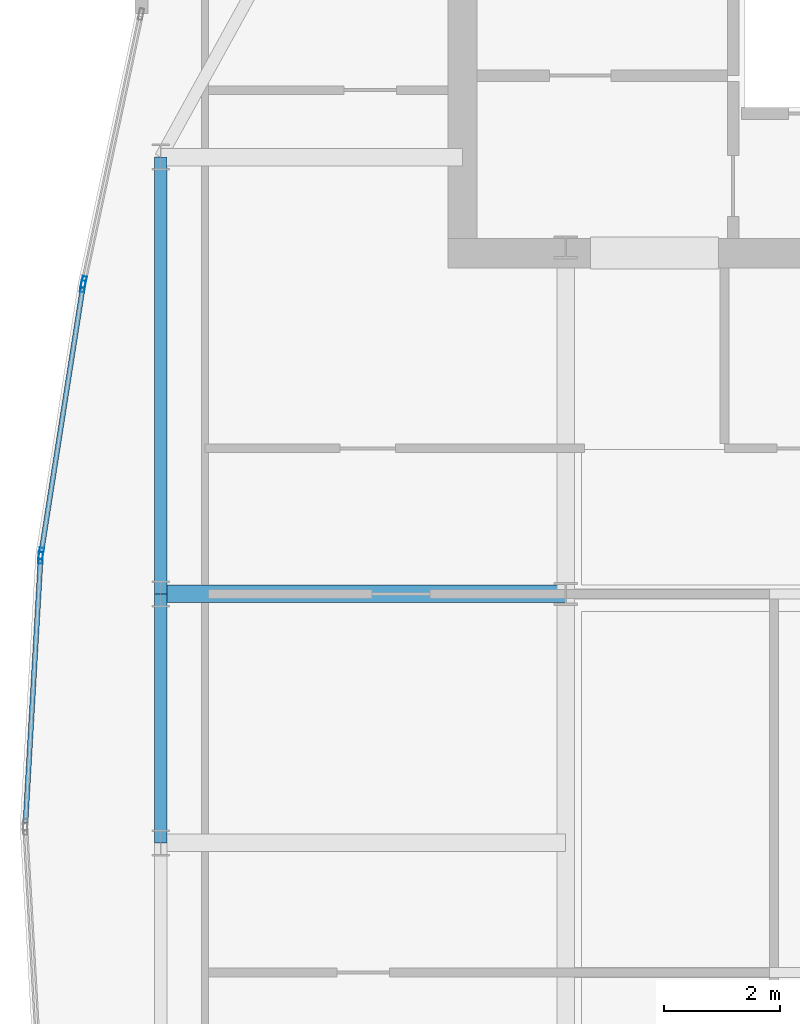
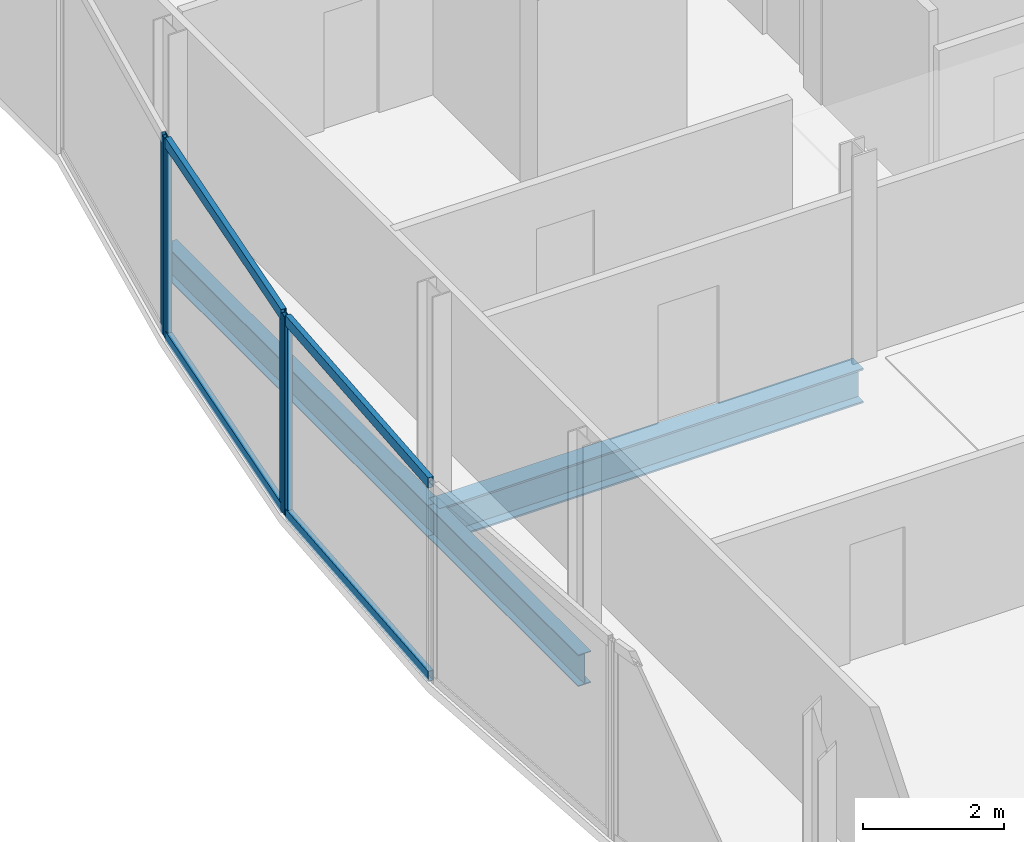
# One storey, part 12 of 29: 8 members, 3 beams, 3 elements without a shape of their own.
"""IFC4 building model written with IfcOpenShell, lengths in metres."""

import ifcopenshell
import ifcopenshell.guid

model = None  # the IFC model being written
_history = None  # IfcOwnerHistory: only IFC2X3 demands one
_inside = {}  # id of a spatial element -> (the spatial element, [elements in it])
_under = {}  # id of a project, library or spatial element -> (it, [spatial elements below it])
_declared = {}  # id of a project -> (the project, [libraries it declares])
_typed = {}  # id of a type object -> (the type object, [elements of that type])
_made_of = {}  # id of a material, layer set ... -> (it, [elements and type objects made of it])


def new_model(schema):
    """Start an empty IFC model of exactly this schema.

    Asked for "IFC4X3", IfcOpenShell would pick the latest addendum, in which some entities
    have other attributes; the version numbers below select the first issue.
    IFC2X3 requires an IfcOwnerHistory on every rooted entity: one is made here for all.
    """
    global model, _history
    if schema == "IFC4X3":
        model = ifcopenshell.file(schema_version=(4, 3, 0, 0))
    else:
        model = ifcopenshell.file(schema=schema)
    _inside.clear()
    _under.clear()
    _declared.clear()
    _typed.clear()
    _made_of.clear()
    _history = None
    if model.schema == "IFC2X3":
        org = make("IfcOrganization", Name="unknown")
        user = make(
            "IfcPersonAndOrganization",
            ThePerson=make("IfcPerson", FamilyName="unknown"),
            TheOrganization=org,
        )
        app = make(
            "IfcApplication",
            ApplicationDeveloper=org,
            Version="unknown",
            ApplicationFullName="unknown",
            ApplicationIdentifier="unknown",
        )
        _history = make(
            "IfcOwnerHistory",
            OwningUser=user,
            OwningApplication=app,
            ChangeAction="ADDED",
            CreationDate=0,
        )
    return model


def make(cls, **values):
    """One entity of the class cls with the attributes given. An attribute that is None is left unset."""
    return model.create_entity(
        cls, **{name: value for name, value in values.items() if value is not None}
    )


def rooted(cls, **values):
    """An entity with a GlobalId (a new one), such as an element, a storey or a relation."""
    return make(cls, GlobalId=ifcopenshell.guid.new(), OwnerHistory=_history, **values)


def si_unit(unit_type, name, prefix=None):
    """IfcSIUnit, for example si_unit("LENGTHUNIT", "METRE", prefix="MILLI")."""
    return make("IfcSIUnit", UnitType=unit_type, Prefix=prefix, Name=name)


def assignment(units):
    """IfcUnitAssignment: the units of a project."""
    return None if units is None else make("IfcUnitAssignment", Units=units)


def point(xyz):
    """IfcCartesianPoint."""
    return None if xyz is None else make("IfcCartesianPoint", Coordinates=xyz)


def direction(xyz):
    """IfcDirection."""
    return None if xyz is None else make("IfcDirection", DirectionRatios=xyz)


def frame(location, z_axis=None, x_axis=None):
    """IfcAxis2Placement3D, a coordinate frame: its origin and axes. An axis left out is left unset."""
    return make(
        "IfcAxis2Placement3D",
        Location=point(location),
        Axis=direction(z_axis),
        RefDirection=direction(x_axis),
    )


def frame_2d(location, x_axis=None):
    """IfcAxis2Placement2D, a coordinate frame in the plane: its origin and x axis."""
    return make(
        "IfcAxis2Placement2D", Location=point(location), RefDirection=direction(x_axis)
    )


def origin():
    """The frame at (0, 0, 0) with its axes left unset."""
    return frame((0.0, 0.0, 0.0))


def origin_2d():
    """The frame at (0, 0) in the plane with its x axis left unset."""
    return frame_2d((0.0, 0.0))


def place(relative_to, where):
    """IfcLocalPlacement: puts the frame where relative to a parent placement (None: the world)."""
    return make(
        "IfcLocalPlacement", PlacementRelTo=relative_to, RelativePlacement=where
    )


def context(
    kind, dimensions, precision=None, world=None, true_north=None, identifier=None
):
    """IfcGeometricRepresentationContext, for example the 3D "Model" context."""
    return make(
        "IfcGeometricRepresentationContext",
        ContextIdentifier=identifier,
        ContextType=kind,
        CoordinateSpaceDimension=dimensions,
        Precision=precision,
        WorldCoordinateSystem=world,
        TrueNorth=true_north,
    )


def subcontext(parent, identifier, kind, view, scale=None):
    """IfcGeometricRepresentationSubContext, for example "Body" below "Model"."""
    return make(
        "IfcGeometricRepresentationSubContext",
        ContextIdentifier=identifier,
        ContextType=kind,
        ParentContext=parent,
        TargetScale=scale,
        TargetView=view,
    )


def project(units=None, contexts=None):
    """IfcProject with its units and contexts."""
    return rooted(
        "IfcProject",
        Name="project",
        RepresentationContexts=contexts,
        UnitsInContext=assignment(units),
    )


def spatial(cls, under=None, at=None, **own):
    """A site, building, storey or space (cls), placed at a placement, below another one or the project."""
    s = rooted(cls, ObjectPlacement=at, **own)
    if under is not None:
        _under.setdefault(under.id(), (under, []))[1].append(s)
    return s


def profile(cls, at=None, kind="AREA", **sizes):
    """A parametric profile (cls). Its sizes go by their IFC names, for example OverallWidth=200.0."""
    return make(cls, ProfileType=kind, Position=at, **sizes)


def hollow_rectangle(**sizes):
    """IfcRectangleHollowProfileDef."""
    return profile("IfcRectangleHollowProfileDef", **sizes)


def i_section(**sizes):
    """IfcIShapeProfileDef."""
    return profile("IfcIShapeProfileDef", **sizes)


def extrude(swept, where, along, depth):
    """IfcExtrudedAreaSolid: the profile swept, set in the frame where, extruded along a direction by depth."""
    return make(
        "IfcExtrudedAreaSolid",
        SweptArea=swept,
        Position=where,
        ExtrudedDirection=direction(along),
        Depth=depth,
    )


def shape(context_of_items, identifier, shape_type, items):
    """IfcShapeRepresentation: the items that make up one representation, for example the "Body"."""
    return make(
        "IfcShapeRepresentation",
        ContextOfItems=context_of_items,
        RepresentationIdentifier=identifier,
        RepresentationType=shape_type,
        Items=items,
    )


def material(Name=None, Category=None):
    """IfcMaterial."""
    return make("IfcMaterial", Name=Name, Category=Category)


def material_profile(
    of_material, cross_section, Name=None, Category=None, Priority=None
):
    """IfcMaterialProfile: a cross section and its material."""
    return make(
        "IfcMaterialProfile",
        Name=Name,
        Material=of_material,
        Profile=cross_section,
        Priority=Priority,
        Category=Category,
    )


def profile_set(profiles, Name=None, composite=None):
    """IfcMaterialProfileSet."""
    return make(
        "IfcMaterialProfileSet",
        Name=Name,
        MaterialProfiles=profiles,
        CompositeProfile=composite,
    )


def made_of(thing, what):
    """Note that an element or type object is made of a material, layer set ...; save() writes the relation."""
    if what is not None:
        _made_of.setdefault(what.id(), (what, []))[1].append(thing)
    return thing


def type_object(cls, material=None, **own):
    """A type object (cls), such as IfcWallType, which elements share."""
    return made_of(rooted(cls, **own), material)


def element(
    cls,
    number,
    at=None,
    inside=None,
    cuts=None,
    type_object=None,
    material=None,
    context=None,
    identifier="Body",
    shape_type=None,
    held_by="IfcProductDefinitionShape",
    body=None,
    shapes=None,
    **own,
):
    """One element of the class cls, such as IfcWall. Its Tag is "e" and its number.

    at: its placement. inside: the storey or other place that contains it. cuts: it is an
    opening in that element (IfcRelVoidsElement). A single representation is given by context,
    identifier, shape_type and body (its items); several are given by shapes. held_by: the class
    of the entity that holds the representations. save() writes the other relations.
    """
    e = rooted(cls, Tag="e%d" % number, ObjectPlacement=at, **own)
    if body is not None:
        shapes = [shape(context, identifier, shape_type, body)]
    if shapes is not None:
        e.Representation = make(held_by, Representations=shapes)
    if inside is not None:
        _inside.setdefault(inside.id(), (inside, []))[1].append(e)
    if cuts is not None:
        rooted(
            "IfcRelVoidsElement", RelatingBuildingElement=cuts, RelatedOpeningElement=e
        )
    if type_object is not None:
        _typed.setdefault(type_object.id(), (type_object, []))[1].append(e)
    return made_of(e, material)


def aggregate(whole, parts):
    """IfcRelAggregates: a whole, such as a stair, and the parts it consists of."""
    return rooted("IfcRelAggregates", RelatingObject=whole, RelatedObjects=parts)


def save(model, path):
    """Write the relations noted so far, then the file.

    IfcRelAggregates (storeys below a building ...), IfcRelContainedInSpatialStructure (elements
    in a storey), IfcRelDefinesByType, IfcRelAssociatesMaterial and IfcRelDeclares: one each for
    every whole, place, type object, material and project.
    """
    for whole, parts in _under.values():
        aggregate(whole, parts)
    for where, things in _inside.values():
        rooted(
            "IfcRelContainedInSpatialStructure",
            RelatedElements=things,
            RelatingStructure=where,
        )
    for kind, things in _typed.values():
        rooted("IfcRelDefinesByType", RelatedObjects=things, RelatingType=kind)
    for what, things in _made_of.values():
        rooted("IfcRelAssociatesMaterial", RelatedObjects=things, RelatingMaterial=what)
    for by, libraries in _declared.values():
        rooted("IfcRelDeclares", RelatingContext=by, RelatedDefinitions=libraries)
    model.write(path)


model = new_model("IFC4")

# Units and contexts
model_context = context("Model", 3, precision=1e-05, world=origin(), true_north=direction((0.0, 1.0)))
body_context = subcontext(model_context, "Body", "Model", "MODEL_VIEW")
ifc_project = project(units=[si_unit("LENGTHUNIT", "METRE"), si_unit("AREAUNIT", "SQUARE_METRE"), si_unit("VOLUMEUNIT", "CUBIC_METRE"), si_unit("PLANEANGLEUNIT", "RADIAN"), si_unit("MASSUNIT", "GRAM", prefix="KILO")], contexts=[model_context])

# Site, building, storey
site_placement = place(None, origin())
site = spatial("IfcSite", under=ifc_project, at=site_placement, CompositionType="ELEMENT")
building_placement = place(site_placement, origin())
building = spatial("IfcBuilding", under=site, at=building_placement, Name="Khoronbel Lancet Exchange", CompositionType="ELEMENT")
storey_placement = place(building_placement, frame((0.0, 0.0, 329.0)))
storey = spatial("IfcBuildingStorey", under=building, at=storey_placement, Name="L85", CompositionType="ELEMENT", Elevation=329.0)

# Beams
ifc_material_1 = material(Name="Steel S355", Category="steel")
ifc_material_profile_1 = material_profile(ifc_material_1, i_section(OverallWidth=0.300048828125, OverallDepth=0.60009765625, WebThickness=0.015380859375, FlangeThickness=0.030029296875, at=origin_2d()), Name="HEB 600")
ifc_profile_set_1 = profile_set([ifc_material_profile_1], Name="Steel S355")
beam_type_1 = type_object("IfcBeamType", Name="BM-BG5", PredefinedType="BEAM", material=ifc_profile_set_1)
beam_1_placement = place(storey_placement, frame((11.27001953125, 35.699951171875, -0.4599609375), z_axis=(1.0, 0.0, 0.0), x_axis=(0.0, 1.0, 0.0)))
element("IfcBeam", 1, at=beam_1_placement, inside=storey, type_object=beam_type_1, Name="Level L85 west lens tie girder LG4W", PredefinedType="BEAM", context=body_context, shape_type="SweptSolid", body=[
    extrude(i_section(OverallWidth=0.300048828125, OverallDepth=0.60009765625, WebThickness=0.015380859375, FlangeThickness=0.030029296875, at=origin_2d()), origin(), (0.0, 0.0, 1.0), 6.955078125),
])
ifc_material_profile_2 = material_profile(ifc_material_1, i_section(OverallWidth=0.2099609375, OverallDepth=0.550048828125, WebThickness=0.010986328125, FlangeThickness=0.01708984375, at=origin_2d()), Name="IPE 550")
ifc_profile_set_2 = profile_set([ifc_material_profile_2], Name="Steel S355")
beam_type_2 = type_object("IfcBeamType", Name="BM-BSP3", PredefinedType="SPANDREL", material=ifc_profile_set_2)
beam_2_placement = place(storey_placement, frame((11.27001953125, 43.199951171875, -0.43505859375), z_axis=(0.0, -1.0, 0.0), x_axis=(1.0, 0.0, 0.0)))
element("IfcBeam", 2, at=beam_2_placement, inside=storey, type_object=beam_type_2, Name="Level L85 perimeter spandrel beam SP15", PredefinedType="SPANDREL", context=body_context, shape_type="SweptSolid", body=[
    extrude(i_section(OverallWidth=0.2099609375, OverallDepth=0.550048828125, WebThickness=0.010986328125, FlangeThickness=0.01708984375, at=origin_2d()), origin(), (0.0, 0.0, 1.0), 7.5),
])
beam_3_placement = place(storey_placement, frame((11.27001953125, 35.699951171875, -0.43505859375), z_axis=(0.0, -1.0, 0.0), x_axis=(1.0, 0.0, 0.0)))
element("IfcBeam", 3, at=beam_3_placement, inside=storey, type_object=beam_type_2, Name="Level L85 perimeter spandrel beam SP16", PredefinedType="SPANDREL", context=body_context, shape_type="SweptSolid", body=[
    extrude(i_section(OverallWidth=0.2099609375, OverallDepth=0.550048828125, WebThickness=0.010986328125, FlangeThickness=0.01708984375, at=origin_2d()), origin(), (0.0, 0.0, 1.0), 4.27490234375),
])

# Curtain wall, member
ifc_material_2 = material(Name="Low-E Solar Control Insulating Glass", Category="glass")
curtain_wall_type = type_object("IfcCurtainWallType", Name="CW-4", PredefinedType="NOTDEFINED", material=ifc_material_2)
curtain_wall_1_placement = place(storey_placement, origin())
curtain_wall_1 = element("IfcCurtainWall", 4, at=curtain_wall_1_placement, inside=storey, type_object=curtain_wall_type, Name="Unitised curtain wall CW-L85-E07", PredefinedType="NOTDEFINED")
ifc_material_3 = material(Name="Bronze-Anodised Aluminium 6063-T6", Category="aluminium")
ifc_material_profile_3 = material_profile(ifc_material_3, hollow_rectangle(XDim=0.074951171875, YDim=0.199951171875, WallThickness=0.0048828125, at=origin_2d()), Name="ALU MULLION 75x200")
ifc_profile_set_3 = profile_set([ifc_material_profile_3], Name="Bronze-Anodised Aluminium 6063-T6")
member_type_1 = type_object("IfcMemberType", Name="MEM-CWM2", PredefinedType="MULLION", material=ifc_profile_set_3)
member_1_placement = place(storey_placement, frame((9.208984375, 36.319580078125, 0.0), z_axis=(0.0, 0.0, 1.0), x_axis=(-0.998361796649, 0.057216457355, 0.0)))
member_1 = element("IfcMember", 5, at=member_1_placement, type_object=member_type_1, Name="CW4 mullion 2", PredefinedType="MULLION", context=body_context, shape_type="SweptSolid", body=[
    extrude(hollow_rectangle(XDim=0.074951171875, YDim=0.199951171875, WallThickness=0.0048828125, at=origin_2d()), origin(), (0.0, 0.0, 1.0), 3.43994140625),
])

# Curtain wall, members
curtain_wall_2_placement = place(storey_placement, origin())
curtain_wall_2 = element("IfcCurtainWall", 6, at=curtain_wall_2_placement, inside=storey, type_object=curtain_wall_type, Name="Unitised curtain wall CW-L85-E08", PredefinedType="NOTDEFINED")
member_2_placement = place(storey_placement, frame((9.216796875, 36.39404296875, 0.0), z_axis=(0.0, 0.0, 1.0), x_axis=(-0.987966514912, 0.154667919789, 0.0)))
member_2 = element("IfcMember", 7, at=member_2_placement, type_object=member_type_1, Name="CW4 mullion 1", PredefinedType="MULLION", context=body_context, shape_type="SweptSolid", body=[
    extrude(hollow_rectangle(XDim=0.074951171875, YDim=0.199951171875, WallThickness=0.0048828125, at=origin_2d()), origin(), (0.0, 0.0, 1.0), 3.43994140625),
])
member_3_placement = place(storey_placement, frame((9.934814453125, 40.979736328125, 0.0), z_axis=(0.0, 0.0, 1.0), x_axis=(-0.987966514912, 0.154667919789, 0.0)))
member_3 = element("IfcMember", 8, at=member_3_placement, type_object=member_type_1, Name="CW4 mullion 2", PredefinedType="MULLION", context=body_context, shape_type="SweptSolid", body=[
    extrude(hollow_rectangle(XDim=0.074951171875, YDim=0.199951171875, WallThickness=0.0048828125, at=origin_2d()), origin(), (0.0, 0.0, 1.0), 3.43994140625),
])

# Curtain wall, member
curtain_wall_3_placement = place(storey_placement, origin())
curtain_wall_3 = element("IfcCurtainWall", 9, at=curtain_wall_3_placement, inside=storey, type_object=curtain_wall_type, Name="Unitised curtain wall CW-L85-E09", PredefinedType="NOTDEFINED")
member_4_placement = place(storey_placement, frame((9.948486328125, 41.053466796875, 0.0), z_axis=(0.0, 0.0, 1.0), x_axis=(-0.977891735749, 0.209111819739, 0.0)))
member_4 = element("IfcMember", 10, at=member_4_placement, type_object=member_type_1, Name="CW4 mullion 1", PredefinedType="MULLION", context=body_context, shape_type="SweptSolid", body=[
    extrude(hollow_rectangle(XDim=0.074951171875, YDim=0.199951171875, WallThickness=0.0048828125, at=origin_2d()), origin(), (0.0, 0.0, 1.0), 3.43994140625),
])
aggregate(curtain_wall_3, [member_4])

# Member
ifc_material_profile_4 = material_profile(ifc_material_3, hollow_rectangle(XDim=0.0849609375, YDim=0.179931640625, WallThickness=0.0048828125, at=origin_2d()), Name="ALU TRANSOM 85x180")
ifc_profile_set_4 = profile_set([ifc_material_profile_4], Name="Bronze-Anodised Aluminium 6063-T6")
member_type_2 = type_object("IfcMemberType", Name="MEM-CWT1", PredefinedType="USERDEFINED", material=ifc_profile_set_4)
member_5_placement = place(storey_placement, frame((8.948486328125, 31.77490234375, 0.04248046875), z_axis=(0.057213031555, 0.998361992977, 0.0), x_axis=(-0.998361992977, 0.057213031555, 0.0)))
member_5 = element("IfcMember", 11, at=member_5_placement, type_object=member_type_2, Name="CW4 transom 1.1", ObjectType="TRANSOM", PredefinedType="USERDEFINED", context=body_context, shape_type="SweptSolid", body=[
    extrude(hollow_rectangle(XDim=0.0849609375, YDim=0.179931640625, WallThickness=0.0048828125, at=origin_2d()), origin(), (0.0, 0.0, 1.0), 4.5146484375),
])

member_6_placement = place(storey_placement, frame((8.948486328125, 31.77490234375, 3.3974609375), z_axis=(0.057213031555, 0.998361992977, 0.0), x_axis=(-0.998361992977, 0.057213031555, 0.0)))
member_6 = element("IfcMember", 12, at=member_6_placement, type_object=member_type_2, Name="CW4 transom 1.2", ObjectType="TRANSOM", PredefinedType="USERDEFINED", context=body_context, shape_type="SweptSolid", body=[
    extrude(hollow_rectangle(XDim=0.0849609375, YDim=0.179931640625, WallThickness=0.0048828125, at=origin_2d()), origin(), (0.0, 0.0, 1.0), 4.5146484375),
])

aggregate(curtain_wall_1, [member_1, member_5, member_6])

member_7_placement = place(storey_placement, frame((9.22265625, 36.43115234375, 0.04248046875), z_axis=(0.154663904025, 0.987967143579, 0.0), x_axis=(-0.987967143579, 0.154663904025, 0.0)))
member_7 = element("IfcMember", 13, at=member_7_placement, type_object=member_type_2, Name="CW4 transom 1.1", ObjectType="TRANSOM", PredefinedType="USERDEFINED", context=body_context, shape_type="SweptSolid", body=[
    extrude(hollow_rectangle(XDim=0.0849609375, YDim=0.179931640625, WallThickness=0.0048828125, at=origin_2d()), origin(), (0.0, 0.0, 1.0), 4.566650390625),
])

member_8_placement = place(storey_placement, frame((9.22265625, 36.43115234375, 3.3974609375), z_axis=(0.154663904025, 0.987967143579, 0.0), x_axis=(-0.987967143579, 0.154663904025, 0.0)))
member_8 = element("IfcMember", 14, at=member_8_placement, type_object=member_type_2, Name="CW4 transom 1.2", ObjectType="TRANSOM", PredefinedType="USERDEFINED", context=body_context, shape_type="SweptSolid", body=[
    extrude(hollow_rectangle(XDim=0.0849609375, YDim=0.179931640625, WallThickness=0.0048828125, at=origin_2d()), origin(), (0.0, 0.0, 1.0), 4.566650390625),
])

aggregate(curtain_wall_2, [member_2, member_3, member_7, member_8])

save(model, "model.ifc")
